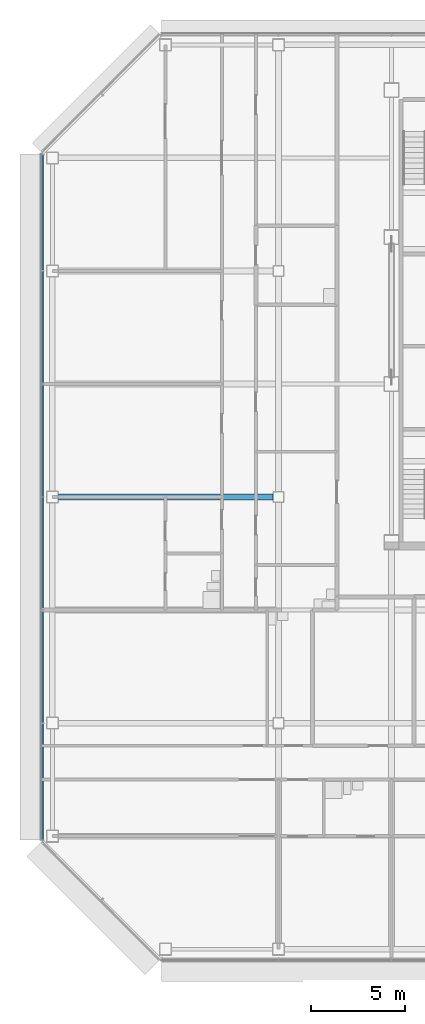
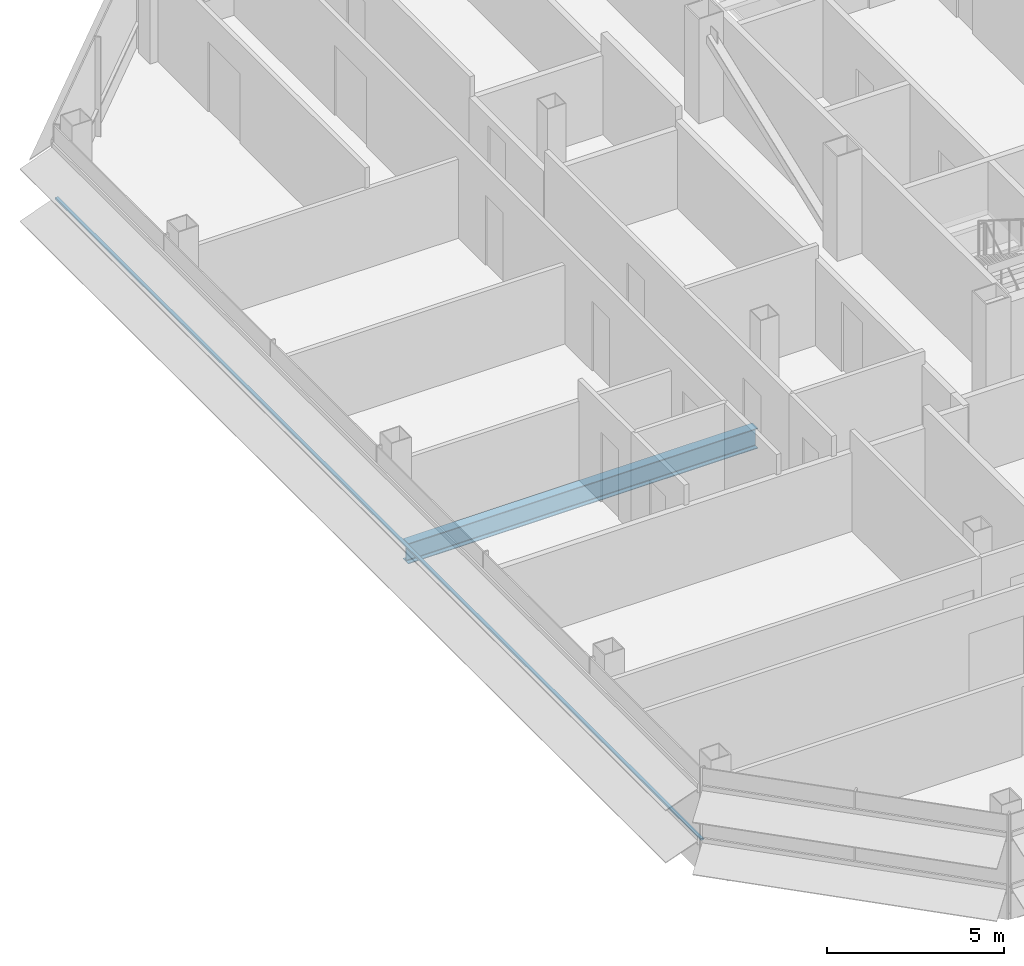
# One storey, part 5 of 26: 1 beam, 1 member, 1 element without a shape of its own.
"""IFC4 building model written with IfcOpenShell, lengths in metres."""

from ifc_helpers import new_model, si_unit, direction, frame, origin, origin_2d, place, context, subcontext, project, spatial, rectangle, i_section, extrude, material, material_profile, profile_set, type_object, element, aggregate, save


model = new_model("IFC4")

# Units and contexts
model_context = context("Model", 3, precision=1e-05, world=origin(), true_north=direction((0.0, 1.0)))
body_context = subcontext(model_context, "Body", "Model", "MODEL_VIEW")
ifc_project = project(units=[si_unit("LENGTHUNIT", "METRE"), si_unit("AREAUNIT", "SQUARE_METRE"), si_unit("VOLUMEUNIT", "CUBIC_METRE"), si_unit("PLANEANGLEUNIT", "RADIAN"), si_unit("MASSUNIT", "GRAM", prefix="KILO")], contexts=[model_context])

# Site, building, storey
site_placement = place(None, origin())
site = spatial("IfcSite", under=ifc_project, at=site_placement, CompositionType="ELEMENT")
building_placement = place(site_placement, origin())
building = spatial("IfcBuilding", under=site, at=building_placement, Name="Sorahane Residences", CompositionType="ELEMENT")
storey_placement = place(building_placement, frame((0.0, 0.0, 222.60009765625)))
storey = spatial("IfcBuildingStorey", under=building, at=storey_placement, Name="L52", CompositionType="ELEMENT", Elevation=222.60009765625)

# Curtain wall, member
ifc_material_1 = material(Name="Dark low-e glass and black anodised aluminium", Category="aluminium")
curtain_wall_type = type_object("IfcCurtainWallType", Name="Curtain wall CW-1 Typical unitised wall", PredefinedType="NOTDEFINED", material=ifc_material_1)
curtain_wall_placement = place(storey_placement, origin())
curtain_wall = element("IfcCurtainWall", 1, at=curtain_wall_placement, inside=storey, type_object=curtain_wall_type, Name="CW-1 curtain wall L52 W1", PredefinedType="NOTDEFINED")
ifc_material_2 = material(Name="Black anodised aluminium", Category="aluminium")
ifc_material_profile_1 = material_profile(ifc_material_2, rectangle(XDim=0.10009765625, YDim=0.06005859375, at=origin_2d()), Name="Curtain wall transom CW-1 black anodised aluminium 60x100")
ifc_profile_set_1 = profile_set([ifc_material_profile_1], Name="Black anodised aluminium")
member_type = type_object("IfcMemberType", Name="Curtain wall transom CW-1 black anodised aluminium 60x100", PredefinedType="USERDEFINED", material=ifc_profile_set_1)
member_placement = place(storey_placement, frame((-12.530029296875, 42.198486328125, 0.89990234375), z_axis=(0.0, -1.0, 0.0), x_axis=(1.0, 0.0, 0.0)))
member = element("IfcMember", 2, at=member_placement, type_object=member_type, Name="CW-1 transom L52 W1", ObjectType="TRANSOM", PredefinedType="USERDEFINED", context=body_context, shape_type="SweptSolid", body=[
    extrude(rectangle(XDim=0.10009765625, YDim=0.06005859375, at=origin_2d()), origin(), (0.0, 0.0, 1.0), 36.39697265625),
])
aggregate(curtain_wall, [member])

# Beam
ifc_material_3 = material(Name="Steel Q355B", Category="steel")
ifc_material_profile_2 = material_profile(ifc_material_3, i_section(OverallWidth=0.300048828125, OverallDepth=0.699951171875, WebThickness=0.012939453125, FlangeThickness=0.02392578125, FilletRadius=0.028076171875, at=origin_2d()), Name="HN 700x300x13x24")
ifc_profile_set_2 = profile_set([ifc_material_profile_2], Name="Steel Q355B")
beam_type = type_object("IfcBeamType", Name="Steel floor beam HN 700x300x13x24 Q355B", PredefinedType="BEAM", material=ifc_profile_set_2)
beam_placement = place(storey_placement, frame((-11.675048828125, 24.0, -0.530029296875), z_axis=(1.0, 0.0, 0.0), x_axis=(0.0, 1.0, 0.0)))
element("IfcBeam", 3, at=beam_placement, inside=storey, type_object=beam_type, Name="Beam L52 011", PredefinedType="BEAM", context=body_context, shape_type="SweptSolid", body=[
    extrude(i_section(OverallWidth=0.300048828125, OverallDepth=0.699951171875, WebThickness=0.012939453125, FlangeThickness=0.02392578125, FilletRadius=0.028076171875, at=origin_2d()), origin(), (0.0, 0.0, 1.0), 11.375),
])

save(model, "model.ifc")
